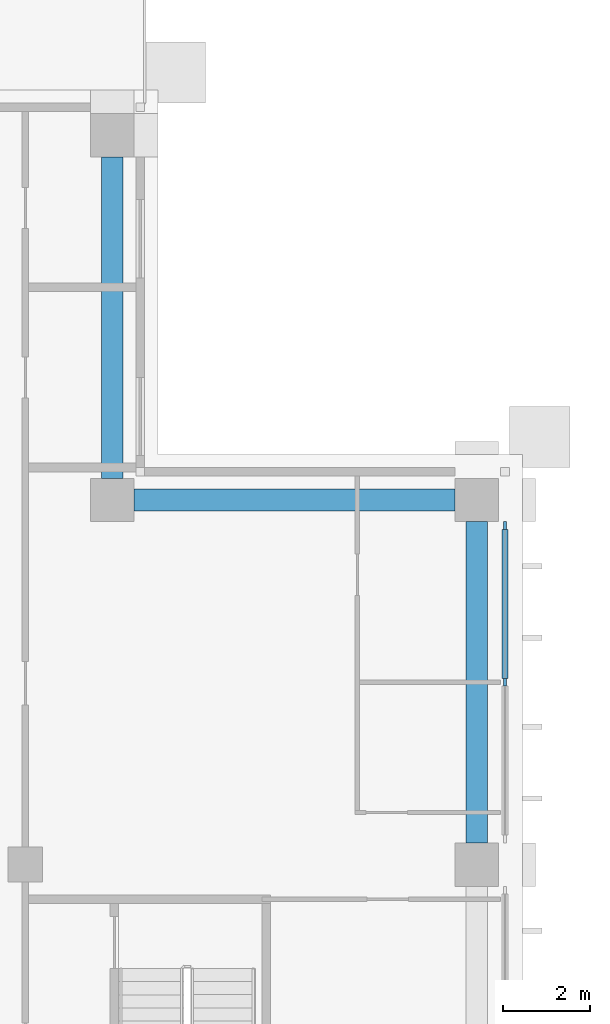
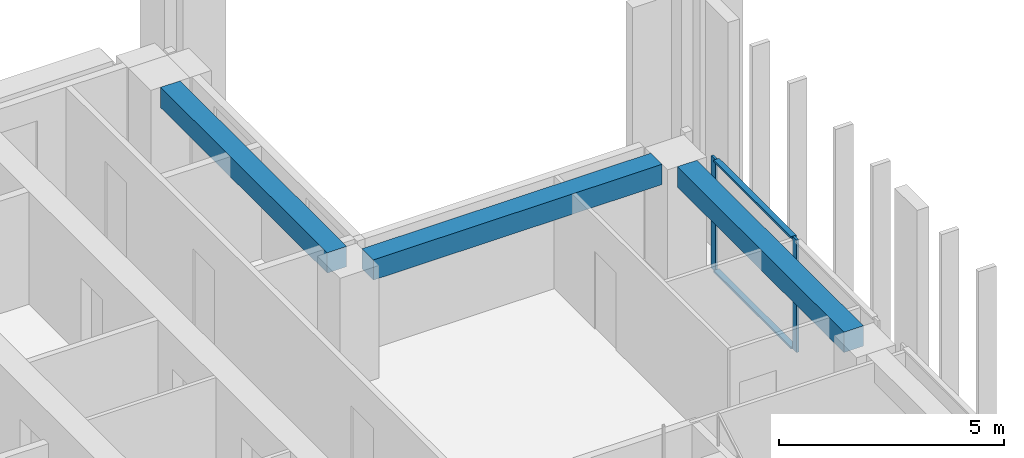
# One storey, part 6 of 18: 4 members, 3 beams, 1 element without a shape of its own.
"""IFC4 building model written with IfcOpenShell, lengths in metres."""

from ifc_helpers import new_model, si_unit, direction, frame, origin, origin_2d, place, context, subcontext, project, spatial, rectangle, extrude, material, material_profile, profile_set, type_object, element, aggregate, save


model = new_model("IFC4")

# Units and contexts
model_context = context("Model", 3, precision=1e-05, world=origin(), true_north=direction((0.0, 1.0)))
body_context = subcontext(model_context, "Body", "Model", "MODEL_VIEW")
ifc_project = project(units=[si_unit("LENGTHUNIT", "METRE"), si_unit("AREAUNIT", "SQUARE_METRE"), si_unit("VOLUMEUNIT", "CUBIC_METRE"), si_unit("PLANEANGLEUNIT", "RADIAN"), si_unit("MASSUNIT", "GRAM", prefix="KILO")], contexts=[model_context])

# Site, building, storey
site_placement = place(None, origin())
site = spatial("IfcSite", under=ifc_project, at=site_placement, CompositionType="ELEMENT")
building_placement = place(site_placement, origin())
building = spatial("IfcBuilding", under=site, at=building_placement, Name="Vermilion Ogive Tower", CompositionType="ELEMENT")
storey_placement = place(building_placement, frame((0.0, 0.0, 185.89990234375)))
storey = spatial("IfcBuildingStorey", under=building, at=storey_placement, Name="L48", CompositionType="ELEMENT", Elevation=185.89990234375)

# Curtain wall, members
ifc_material_1 = material(Name="Low-iron laminated glazing in aluminium frame", Category="aluminium")
curtain_wall_type = type_object("IfcCurtainWallType", Name="Curtain wall CW7", PredefinedType="NOTDEFINED", material=ifc_material_1)
curtain_wall_placement = place(storey_placement, origin())
curtain_wall = element("IfcCurtainWall", 1, at=curtain_wall_placement, inside=storey, type_object=curtain_wall_type, Name="Glazed skin E3", PredefinedType="NOTDEFINED")
ifc_material_2 = material(Name="Aluminium mullion", Category="aluminium")
ifc_material_profile_1 = material_profile(ifc_material_2, rectangle(XDim=0.06005859375, YDim=0.179931640625, at=origin_2d()), Name="AL 60x180")
ifc_profile_set_1 = profile_set([ifc_material_profile_1], Name="Aluminium mullion")
member_type_1 = type_object("IfcMemberType", Name="CW7 mullion 60x180", PredefinedType="MULLION", material=ifc_profile_set_1)
member_1_placement = place(storey_placement, frame((25.85009765625, 8.39990234375, 0.0), z_axis=(0.0, 0.0, 1.0), x_axis=(-1.0, 0.0, 0.0)))
member_1 = element("IfcMember", 2, at=member_1_placement, type_object=member_type_1, Name="CW7-E3 mullion 2", PredefinedType="MULLION", context=body_context, shape_type="SweptSolid", body=[
    extrude(rectangle(XDim=0.06005859375, YDim=0.179931640625, at=origin_2d()), origin(), (0.0, 0.0, 1.0), 3.050048828125),
])
member_2_placement = place(storey_placement, frame((25.85009765625, 12.010009765625, 0.0), z_axis=(0.0, 0.0, 1.0), x_axis=(-1.0, 0.0, 0.0)))
member_2 = element("IfcMember", 3, at=member_2_placement, type_object=member_type_1, Name="CW7-E3 mullion 3", PredefinedType="MULLION", context=body_context, shape_type="SweptSolid", body=[
    extrude(rectangle(XDim=0.06005859375, YDim=0.179931640625, at=origin_2d()), origin(), (0.0, 0.0, 1.0), 3.050048828125),
])
ifc_material_3 = material(Name="Aluminium transom", Category="aluminium")
ifc_material_profile_2 = material_profile(ifc_material_3, rectangle(XDim=0.139892578125, YDim=0.06005859375, at=origin_2d()), Name="AL 60x140")
ifc_profile_set_2 = profile_set([ifc_material_profile_2], Name="Aluminium transom")
member_type_2 = type_object("IfcMemberType", Name="CW7 transom 60x140", PredefinedType="USERDEFINED", material=ifc_profile_set_2)
member_3_placement = place(storey_placement, frame((25.85009765625, 8.489990234375, 0.030029296875), z_axis=(0.0, 1.0, 0.0), x_axis=(-1.0, 0.0, 0.0)))
member_3 = element("IfcMember", 4, at=member_3_placement, type_object=member_type_2, Name="CW7-E3 transom 2.1", ObjectType="TRANSOM", PredefinedType="USERDEFINED", context=body_context, shape_type="SweptSolid", body=[
    extrude(rectangle(XDim=0.139892578125, YDim=0.06005859375, at=origin_2d()), origin(), (0.0, 0.0, 1.0), 3.429931640625),
])
member_4_placement = place(storey_placement, frame((25.85009765625, 8.489990234375, 3.02001953125), z_axis=(0.0, 1.0, 0.0), x_axis=(-1.0, 0.0, 0.0)))
member_4 = element("IfcMember", 5, at=member_4_placement, type_object=member_type_2, Name="CW7-E3 transom 2.2", ObjectType="TRANSOM", PredefinedType="USERDEFINED", context=body_context, shape_type="SweptSolid", body=[
    extrude(rectangle(XDim=0.139892578125, YDim=0.06005859375, at=origin_2d()), origin(), (0.0, 0.0, 1.0), 3.429931640625),
])
aggregate(curtain_wall, [member_1, member_2, member_3, member_4])

# Beams
ifc_material_4 = material(Name="Concrete B45", Category="concrete")
ifc_material_profile_3 = material_profile(ifc_material_4, rectangle(XDim=0.5, YDim=0.550048828125, at=origin_2d()), Name="500 x 550")
ifc_profile_set_3 = profile_set([ifc_material_profile_3], Name="Concrete B45")
beam_type = type_object("IfcBeamType", Name="Edge beam 500 x 550 B45", PredefinedType="BEAM", material=ifc_profile_set_3)
beam_placement = place(storey_placement, frame((25.199951171875, 4.699951171875, 2.775146484375), z_axis=(0.0, 1.0, 0.0), x_axis=(-1.0, 0.0, 0.0)))
element("IfcBeam", 6, at=beam_placement, inside=storey, type_object=beam_type, Name="L48-EB-9", PredefinedType="BEAM", context=body_context, shape_type="SweptSolid", body=[
    extrude(rectangle(XDim=0.5, YDim=0.550048828125, at=origin_2d()), origin(), (0.0, 0.0, 1.0), 7.400146484375),
])
for number, where, z_axis, x_axis, name in (
    (7, (24.699951171875, 12.60009765625, 2.775146484375), (-1.0, 0.0, 0.0), (0.0, -1.0, 0.0), "L48-EB-10"),
    (8, (16.800048828125, 13.10009765625, 2.775146484375), (0.0, 1.0, 0.0), (-1.0, 0.0, 0.0), "L48-EB-11"),
):
    element("IfcBeam", number, at=place(storey_placement, frame(where, z_axis=z_axis, x_axis=x_axis)), inside=storey, type_object=beam_type, Name=name, PredefinedType="BEAM", context=body_context, shape_type="SweptSolid", body=[
        extrude(rectangle(XDim=0.5, YDim=0.550048828125, at=origin_2d()), origin(), (0.0, 0.0, 1.0), 7.39990234375),
    ])

save(model, "model.ifc")
